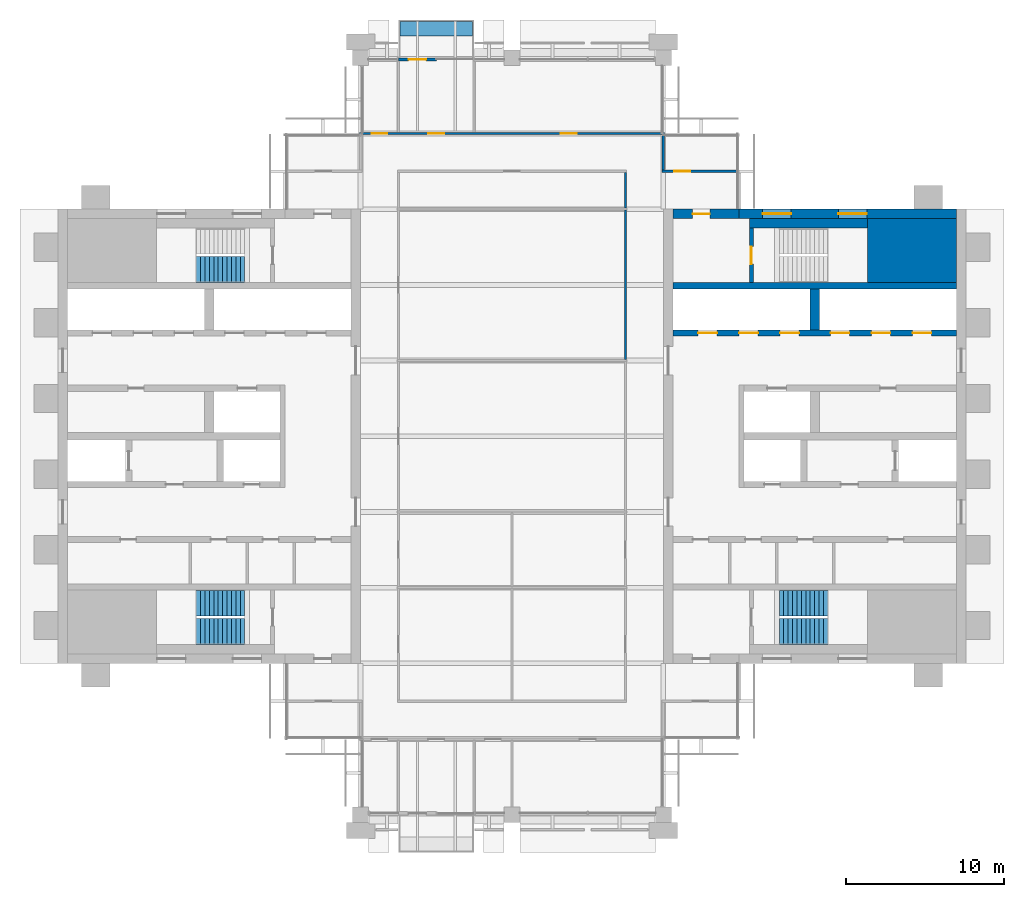
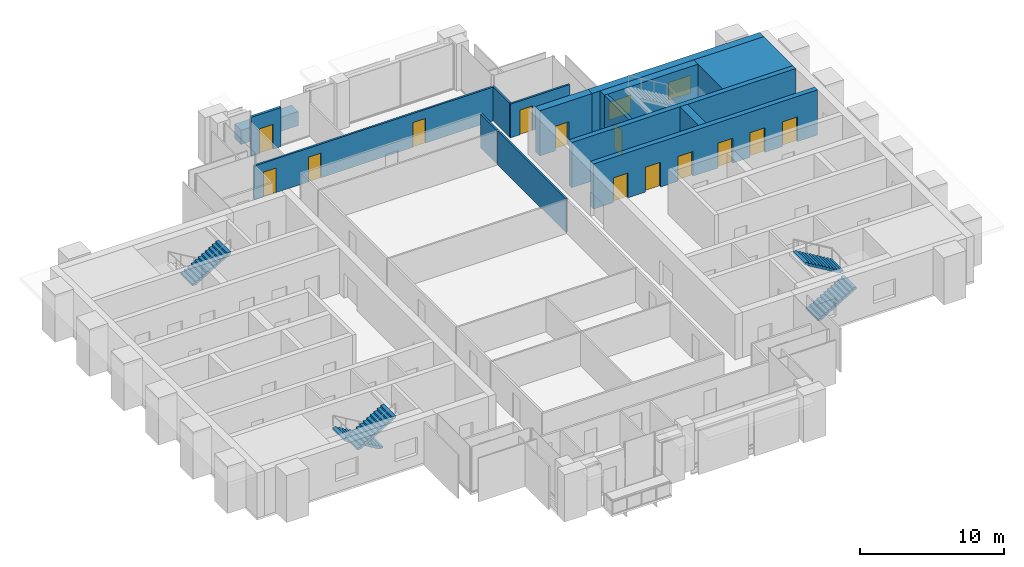
# One storey, part 11 of 13: 15 walls, 13 doors, 5 stair flights, 2 windows, 15 openings, 3 elements without a shape of their own.
"""IFC4 building model written with IfcOpenShell, lengths in metres."""

from ifc_helpers import new_model, si_unit, direction, frame, frame_2d, origin, place, context, subcontext, project, spatial, polyline, rectangle, outline, extrude, material, layer, layer_set, type_object, element, fill, aggregate, save


model = new_model("IFC4")

# Units and contexts
model_context = context("Model", 3, precision=1e-05, world=origin(), true_north=direction((0.0, 1.0)))
body_context = subcontext(model_context, "Body", "Model", "MODEL_VIEW")
ifc_project = project(units=[si_unit("LENGTHUNIT", "METRE"), si_unit("AREAUNIT", "SQUARE_METRE"), si_unit("VOLUMEUNIT", "CUBIC_METRE"), si_unit("PLANEANGLEUNIT", "RADIAN"), si_unit("MASSUNIT", "GRAM", prefix="KILO")], contexts=[model_context])

# Site, building, storey
site_placement = place(None, origin())
site = spatial("IfcSite", under=ifc_project, at=site_placement, CompositionType="ELEMENT")
building_placement = place(site_placement, origin())
building = spatial("IfcBuilding", under=site, at=building_placement, Name="Baori Bourse Tower", CompositionType="ELEMENT")
storey_placement = place(building_placement, frame((0.0, 0.0, 338.300048828125)))
storey = spatial("IfcBuildingStorey", under=building, at=storey_placement, Name="L75", CompositionType="ELEMENT", Elevation=338.300048828125)

# Wall
ifc_material_1 = material(Name="Concrete f'c 40 MPa", Category="concrete")
wall_type_1 = type_object("IfcWallType", Name="Core corner block f'c 40", PredefinedType="SHEAR", material=ifc_material_1)
wall_1_placement = place(storey_placement, frame((51.35009765625, 35.77490234375, 0.0), z_axis=(0.0, 0.0, 1.0), x_axis=(1.0, 0.0, 0.0)))
element("IfcWall", 1, at=wall_1_placement, inside=storey, type_object=wall_type_1, Name="Core wall E23", PredefinedType="SHEAR", context=body_context, shape_type="SweptSolid", body=[
    extrude(rectangle(XDim=5.64990234375, YDim=4.050048828125, at=frame_2d((2.824951171875, 0.0))), origin(), (0.0, 0.0, 1.0), 3.83984375),
])

# Wall, openings, windows
ifc_material_2 = material(Name="Concrete f'c 40 MPa", Category="concrete")
ifc_layer_1 = layer(ifc_material_2, 0.60009765625)
ifc_layer_set_1 = layer_set([ifc_layer_1], Name="Core wall 600 f'c 40")
wall_type_2 = type_object("IfcWallType", Name="Core wall 600 f'c 40", PredefinedType="SHEAR", material=ifc_layer_set_1)
wall_2_placement = place(storey_placement, frame((43.199951171875, 38.10009765625, 0.0), z_axis=(0.0, 0.0, 1.0), x_axis=(1.0, 0.0, 0.0)))
wall_2 = element("IfcWall", 2, at=wall_2_placement, inside=storey, type_object=wall_type_2, Name="Core wall E26", PredefinedType="SHEAR", context=body_context, shape_type="SweptSolid", body=[
    extrude(rectangle(XDim=13.800048828125, YDim=0.60009765625, at=frame_2d((6.89990234375, 0.0))), origin(), (0.0, 0.0, 1.0), 3.83984375),
])
opening_1_placement = place(wall_2_placement, frame((6.300048828125, 0.0, 0.89990234375)))
opening_1 = element("IfcOpeningElement", 3, at=opening_1_placement, cuts=wall_2, Name="Opening L75-KW205", PredefinedType="OPENING", context=body_context, shape_type="SweptSolid", body=[
    extrude(rectangle(XDim=1.800048828125, YDim=1.5, at=frame_2d((0.89990234375, 0.75))), frame((0.0, 0.31005859375, 0.0), z_axis=(0.0, -1.0, 0.0), x_axis=(1.0, 0.0, 0.0)), (0.0, 0.0, 1.0), 0.6201171875),
])
opening_2_placement = place(wall_2_placement, frame((1.5, 0.0, 0.89990234375)))
opening_2 = element("IfcOpeningElement", 4, at=opening_2_placement, cuts=wall_2, Name="Opening L75-KW206", PredefinedType="OPENING", context=body_context, shape_type="SweptSolid", body=[
    extrude(rectangle(XDim=1.800048828125, YDim=1.5, at=frame_2d((0.89990234375, 0.75))), frame((0.0, 0.31005859375, 0.0), z_axis=(0.0, -1.0, 0.0), x_axis=(1.0, 0.0, 0.0)), (0.0, 0.0, 1.0), 0.6201171875),
])
ifc_material_3 = material(Name="Pale anodised aluminium", Category="aluminium")
window_type = type_object("IfcWindowType", Name="Stair window 1800 x 1500", PartitioningType="SINGLE_PANEL", PredefinedType="WINDOW", material=ifc_material_3)
window_1_placement = place(opening_1_placement, origin())
window_1 = element("IfcWindow", 5, at=window_1_placement, inside=storey, type_object=window_type, Name="Stair window E L75 5", OverallHeight=1.5, OverallWidth=1.800048828125, PartitioningType="SINGLE_PANEL", PredefinedType="WINDOW", context=body_context, shape_type="SweptSolid", body=[
    extrude(rectangle(XDim=1.800048828125, YDim=1.5, at=frame_2d((0.89990234375, 0.75))), frame((0.0, 0.030029296875, 0.0), z_axis=(0.0, -1.0, 0.0), x_axis=(1.0, 0.0, 0.0)), (0.0, 0.0, 1.0), 0.06005859375),
])
fill(opening_1, window_1)
window_2_placement = place(opening_2_placement, origin())
window_2 = element("IfcWindow", 6, at=window_2_placement, inside=storey, type_object=window_type, Name="Stair window E L75 6", OverallHeight=1.5, OverallWidth=1.800048828125, PartitioningType="SINGLE_PANEL", PredefinedType="WINDOW", context=body_context, shape_type="SweptSolid", body=[
    extrude(rectangle(XDim=1.800048828125, YDim=1.5, at=frame_2d((0.89990234375, 0.75))), frame((0.0, 0.030029296875, 0.0), z_axis=(0.0, -1.0, 0.0), x_axis=(1.0, 0.0, 0.0)), (0.0, 0.0, 1.0), 0.06005859375),
])
fill(opening_2, window_2)

# Wall, opening, door
wall_3_placement = place(storey_placement, frame((39.0, 38.10009765625, 0.0), z_axis=(0.0, 0.0, 1.0), x_axis=(1.0, 0.0, 0.0)))
wall_3 = element("IfcWall", 7, at=wall_3_placement, inside=storey, type_object=wall_type_2, Name="Core wall E27", PredefinedType="SHEAR", context=body_context, shape_type="SweptSolid", body=[
    extrude(rectangle(XDim=4.199951171875, YDim=0.60009765625, at=frame_2d((2.10009765625, 0.0))), origin(), (0.0, 0.0, 1.0), 3.83984375),
])
opening_3_placement = place(wall_3_placement, frame((1.25, 0.0, 0.0)))
opening_3 = element("IfcOpeningElement", 8, at=opening_3_placement, cuts=wall_3, Name="Opening L75-D204", PredefinedType="OPENING", context=body_context, shape_type="SweptSolid", body=[
    extrude(rectangle(XDim=1.10009765625, YDim=2.10009765625, at=frame_2d((0.550048828125, 1.050048828125))), frame((0.0, 0.31005859375, 0.0), z_axis=(0.0, -1.0, 0.0), x_axis=(1.0, 0.0, 0.0)), (0.0, 0.0, 1.0), 0.6201171875),
])
ifc_material_4 = material(Name="Painted steel door", Category="steel")
door_type_1 = type_object("IfcDoorType", Name="Stair door 1100", OperationType="SINGLE_SWING_LEFT", PredefinedType="DOOR", material=ifc_material_4)
door_1_placement = place(opening_3_placement, origin())
door_1 = element("IfcDoor", 9, at=door_1_placement, inside=storey, type_object=door_type_1, Name="Stair vestibule door B E L75", OperationType="SINGLE_SWING_LEFT", OverallHeight=2.10009765625, OverallWidth=1.10009765625, PredefinedType="DOOR", context=body_context, shape_type="SweptSolid", body=[
    extrude(rectangle(XDim=1.10009765625, YDim=2.10009765625, at=frame_2d((0.550048828125, 1.050048828125))), frame((0.0, 0.02490234375, 0.0), z_axis=(0.0, -1.0, 0.0), x_axis=(1.0, 0.0, 0.0)), (0.0, 0.0, 1.0), 0.050048828125),
])
fill(opening_3, door_1)

ifc_material_5 = material(Name="Gypsum board partition")
ifc_layer_2 = layer(ifc_material_5, 0.14990234375)
ifc_layer_set_2 = layer_set([ifc_layer_2], Name="Corridor partition 150")
wall_type_3 = type_object("IfcWallType", Name="Corridor partition 150", PredefinedType="PARTITIONING", material=ifc_layer_set_2)
wall_4_placement = place(storey_placement, frame((38.324951171875, 40.800048828125, 0.0), z_axis=(0.0, 0.0, 1.0), x_axis=(1.0, 0.0, 0.0)))
wall_4 = element("IfcWall", 10, at=wall_4_placement, inside=storey, type_object=wall_type_3, Name="Partition", PredefinedType="PARTITIONING", context=body_context, shape_type="SweptSolid", body=[
    extrude(rectangle(XDim=4.775146484375, YDim=0.14990234375, at=frame_2d((2.3876953125, 0.0))), origin(), (0.0, 0.0, 1.0), 2.86962890625),
])
opening_4_placement = place(wall_4_placement, frame((0.77490234375, 0.0, 0.0)))
opening_4 = element("IfcOpeningElement", 11, at=opening_4_placement, cuts=wall_4, Name="Opening L75-D09", PredefinedType="OPENING", context=body_context, shape_type="SweptSolid", body=[
    extrude(rectangle(XDim=1.0, YDim=2.10009765625, at=frame_2d((0.5, 1.050048828125))), frame((0.0, 0.0849609375, 0.0), z_axis=(0.0, -1.0, 0.0), x_axis=(1.0, 0.0, 0.0)), (0.0, 0.0, 1.0), 0.169921875),
])
ifc_material_6 = material(Name="Timber door leaf", Category="wood")
door_type_2 = type_object("IfcDoorType", Name="Door 1000 x 2100", OperationType="SINGLE_SWING_LEFT", PredefinedType="DOOR", material=ifc_material_6)
door_2_placement = place(opening_4_placement, origin())
door_2 = element("IfcDoor", 12, at=door_2_placement, inside=storey, type_object=door_type_2, Name="Door", OperationType="SINGLE_SWING_RIGHT", OverallHeight=2.10009765625, OverallWidth=1.0, PredefinedType="DOOR", context=body_context, shape_type="SweptSolid", body=[
    extrude(rectangle(XDim=1.0, YDim=2.10009765625, at=frame_2d((0.5, 1.050048828125))), frame((0.0, 0.02490234375, 0.0), z_axis=(0.0, -1.0, 0.0), x_axis=(1.0, 0.0, 0.0)), (0.0, 0.0, 1.0), 0.050048828125),
])
fill(opening_4, door_2)

# Wall, openings, doors
wall_5_placement = place(storey_placement, frame((19.125, 43.199951171875, 0.0), z_axis=(0.0, 0.0, 1.0), x_axis=(1.0, 0.0, 0.0)))
wall_5 = element("IfcWall", 13, at=wall_5_placement, inside=storey, type_object=wall_type_3, Name="Partition", PredefinedType="PARTITIONING", context=body_context, shape_type="SweptSolid", body=[
    extrude(rectangle(XDim=19.35009765625, YDim=0.14990234375, at=frame_2d((9.675048828125, 0.0))), origin(), (0.0, 0.0, 1.0), 2.86962890625),
])
opening_5_placement = place(wall_5_placement, frame((0.77490234375, 0.0, 0.0)))
opening_5 = element("IfcOpeningElement", 14, at=opening_5_placement, cuts=wall_5, Name="Opening L75-D10", PredefinedType="OPENING", context=body_context, shape_type="SweptSolid", body=[
    extrude(rectangle(XDim=1.0, YDim=2.10009765625, at=frame_2d((0.5, 1.050048828125))), frame((0.0, 0.0849609375, 0.0), z_axis=(0.0, -1.0, 0.0), x_axis=(1.0, 0.0, 0.0)), (0.0, 0.0, 1.0), 0.169921875),
])
opening_6_placement = place(wall_5_placement, frame((4.375, 0.0, 0.0)))
opening_6 = element("IfcOpeningElement", 15, at=opening_6_placement, cuts=wall_5, Name="Opening L75-D11", PredefinedType="OPENING", context=body_context, shape_type="SweptSolid", body=[
    extrude(rectangle(XDim=1.0, YDim=2.10009765625, at=frame_2d((0.5, 1.050048828125))), frame((0.0, 0.0849609375, 0.0), z_axis=(0.0, -1.0, 0.0), x_axis=(1.0, 0.0, 0.0)), (0.0, 0.0, 1.0), 0.169921875),
])
opening_7_placement = place(wall_5_placement, frame((12.77490234375, 0.0, 0.0)))
opening_7 = element("IfcOpeningElement", 16, at=opening_7_placement, cuts=wall_5, Name="Opening L75-D12", PredefinedType="OPENING", context=body_context, shape_type="SweptSolid", body=[
    extrude(rectangle(XDim=1.0, YDim=2.10009765625, at=frame_2d((0.5, 1.050048828125))), frame((0.0, 0.0849609375, 0.0), z_axis=(0.0, -1.0, 0.0), x_axis=(1.0, 0.0, 0.0)), (0.0, 0.0, 1.0), 0.169921875),
])
door_3_placement = place(opening_5_placement, origin())
door_3 = element("IfcDoor", 17, at=door_3_placement, inside=storey, type_object=door_type_2, Name="Door", OperationType="SINGLE_SWING_RIGHT", OverallHeight=2.10009765625, OverallWidth=1.0, PredefinedType="DOOR", context=body_context, shape_type="SweptSolid", body=[
    extrude(rectangle(XDim=1.0, YDim=2.10009765625, at=frame_2d((0.5, 1.050048828125))), frame((0.0, 0.02490234375, 0.0), z_axis=(0.0, -1.0, 0.0), x_axis=(1.0, 0.0, 0.0)), (0.0, 0.0, 1.0), 0.050048828125),
])
fill(opening_5, door_3)
door_4_placement = place(opening_6_placement, origin())
door_4 = element("IfcDoor", 18, at=door_4_placement, inside=storey, type_object=door_type_2, Name="Door", OperationType="SINGLE_SWING_RIGHT", OverallHeight=2.10009765625, OverallWidth=1.0, PredefinedType="DOOR", context=body_context, shape_type="SweptSolid", body=[
    extrude(rectangle(XDim=1.0, YDim=2.10009765625, at=frame_2d((0.5, 1.050048828125))), frame((0.0, 0.02490234375, 0.0), z_axis=(0.0, -1.0, 0.0), x_axis=(1.0, 0.0, 0.0)), (0.0, 0.0, 1.0), 0.050048828125),
])
fill(opening_6, door_4)
door_5_placement = place(opening_7_placement, origin())
door_5 = element("IfcDoor", 19, at=door_5_placement, inside=storey, type_object=door_type_2, Name="Door", OperationType="SINGLE_SWING_LEFT", OverallHeight=2.10009765625, OverallWidth=1.0, PredefinedType="DOOR", context=body_context, shape_type="SweptSolid", body=[
    extrude(rectangle(XDim=1.0, YDim=2.10009765625, at=frame_2d((0.5, 1.050048828125))), frame((0.0, 0.02490234375, 0.0), z_axis=(0.0, -1.0, 0.0), x_axis=(1.0, 0.0, 0.0)), (0.0, 0.0, 1.0), 0.050048828125),
])
fill(opening_7, door_5)

# Walls
wall_6_placement = place(storey_placement, frame((36.0, 28.862548828125, 0.0), z_axis=(0.0, 0.0, 1.0), x_axis=(0.0, 1.0, 0.0)))
element("IfcWall", 20, at=wall_6_placement, inside=storey, type_object=wall_type_3, Name="Partition", PredefinedType="PARTITIONING", context=body_context, shape_type="SweptSolid", body=[
    extrude(rectangle(XDim=9.474853515625, YDim=0.14990234375, at=frame_2d((4.7373046875, 0.0))), origin(), (0.0, 0.0, 1.0), 2.86962890625),
])
wall_7_placement = place(storey_placement, frame((36.0, 38.46240234375, 0.0), z_axis=(0.0, 0.0, 1.0), x_axis=(0.0, 1.0, 0.0)))
element("IfcWall", 21, at=wall_7_placement, inside=storey, type_object=wall_type_3, Name="Partition", PredefinedType="PARTITIONING", context=body_context, shape_type="SweptSolid", body=[
    extrude(rectangle(XDim=2.2626953125, YDim=0.14990234375, at=frame_2d((1.13134765625, 0.0))), origin(), (0.0, 0.0, 1.0), 2.86962890625),
])
wall_8_placement = place(storey_placement, frame((38.39990234375, 40.875, 0.0), z_axis=(0.0, 0.0, 1.0), x_axis=(0.0, 1.0, 0.0)))
element("IfcWall", 22, at=wall_8_placement, inside=storey, type_object=wall_type_3, Name="Partition", PredefinedType="PARTITIONING", context=body_context, shape_type="SweptSolid", body=[
    extrude(rectangle(XDim=2.25, YDim=0.14990234375, at=frame_2d((1.125, 0.0))), origin(), (0.0, 0.0, 1.0), 2.86962890625),
])

# Wall, opening, door
ifc_material_7 = material(Name="Pale anodised aluminium", Category="aluminium")
ifc_layer_3 = layer(ifc_material_7, 0.199951171875)
ifc_layer_set_3 = layer_set([ifc_layer_3], Name="EW1 External wall bay")
wall_type_4 = type_object("IfcWallType", Name="EW1 External wall bay", PredefinedType="SOLIDWALL", material=ifc_layer_set_3)
wall_9_placement = place(storey_placement, frame((24.0, 47.89990234375, 0.0), z_axis=(0.0, 0.0, 1.0), x_axis=(-1.0, 0.0, 0.0)))
wall_9 = element("IfcWall", 23, at=wall_9_placement, inside=storey, type_object=wall_type_4, Name="External wall bay L75 1", PredefinedType="SOLIDWALL", context=body_context, shape_type="SweptSolid", body=[
    extrude(rectangle(XDim=2.39990234375, YDim=0.199951171875, at=frame_2d((1.199951171875, 0.0))), origin(), (0.0, 0.0, 1.0), 3.314208984375),
])
opening_8_placement = place(wall_9_placement, frame((0.64990234375, 0.0, 0.0)))
opening_8 = element("IfcOpeningElement", 24, at=opening_8_placement, cuts=wall_9, Name="Opening L75-D91", PredefinedType="OPENING", context=body_context, shape_type="SweptSolid", body=[
    extrude(rectangle(XDim=1.10009765625, YDim=2.10009765625, at=frame_2d((0.550048828125, 1.050048828125))), frame((0.0, 0.10986328125, 0.0), z_axis=(0.0, -1.0, 0.0), x_axis=(1.0, 0.0, 0.0)), (0.0, 0.0, 1.0), 0.219970703125),
])
ifc_material_8 = material(Name="Pale anodised aluminium", Category="aluminium")
door_type_3 = type_object("IfcDoorType", Name="BL1 Balcony door", OperationType="SINGLE_SWING_LEFT", PredefinedType="DOOR", material=ifc_material_8)
door_6_placement = place(opening_8_placement, origin())
door_6 = element("IfcDoor", 25, at=door_6_placement, inside=storey, type_object=door_type_3, Name="Balcony door L75 1", OperationType="SINGLE_SWING_LEFT", OverallHeight=2.10009765625, OverallWidth=1.10009765625, PredefinedType="DOOR", context=body_context, shape_type="SweptSolid", body=[
    extrude(rectangle(XDim=1.10009765625, YDim=2.10009765625, at=frame_2d((0.550048828125, 1.050048828125))), frame((0.0, 0.02490234375, 0.0), z_axis=(0.0, -1.0, 0.0), x_axis=(1.0, 0.0, 0.0)), (0.0, 0.0, 1.0), 0.050048828125),
])
fill(opening_8, door_6)

# Wall
ifc_material_9 = material(Name="Concrete f'c 40 MPa", Category="concrete")
ifc_layer_4 = layer(ifc_material_9, 0.89990234375)
ifc_layer_set_4 = layer_set([ifc_layer_4], Name="PW1 Planter wall")
wall_type_5 = type_object("IfcWallType", Name="PW1 Planter wall", PredefinedType="USERDEFINED", material=ifc_layer_set_4)
wall_10_placement = place(storey_placement, frame((21.699951171875, 49.85009765625, 0.0), z_axis=(0.0, 0.0, 1.0), x_axis=(1.0, 0.0, 0.0)))
element("IfcWall", 26, at=wall_10_placement, inside=storey, type_object=wall_type_5, Name="Planter balcony N L75 2", ObjectType="PLANTER", PredefinedType="USERDEFINED", context=body_context, shape_type="SweptSolid", body=[
    extrude(rectangle(XDim=4.60009765625, YDim=0.89990234375, at=frame_2d((2.300048828125, 0.0))), origin(), (0.0, 0.0, 1.0), 1.199951171875),
])

# Wall, opening, door
ifc_material_10 = material(Name="Concrete f'c 40 MPa", Category="concrete")
ifc_layer_5 = layer(ifc_material_10, 0.25)
ifc_layer_set_5 = layer_set([ifc_layer_5], Name="Shaft wall 250 f'c 40")
wall_type_6 = type_object("IfcWallType", Name="Shaft wall 250 f'c 40", PredefinedType="SHEAR", material=ifc_layer_set_5)
wall_11_placement = place(storey_placement, frame((43.97509765625, 33.75, 0.0), z_axis=(0.0, 0.0, 1.0), x_axis=(0.0, 1.0, 0.0)))
wall_11 = element("IfcWall", 27, at=wall_11_placement, inside=storey, type_object=wall_type_6, Name="Core wall E24", PredefinedType="SHEAR", context=body_context, shape_type="SweptSolid", body=[
    extrude(rectangle(XDim=3.449951171875, YDim=0.25, at=frame_2d((1.72509765625, 0.0))), origin(), (0.0, 0.0, 1.0), 3.83984375),
])
opening_9_placement = place(wall_11_placement, frame((1.175048828125, 0.0, 0.0)))
opening_9 = element("IfcOpeningElement", 28, at=opening_9_placement, cuts=wall_11, Name="Opening L75-D203", PredefinedType="OPENING", context=body_context, shape_type="SweptSolid", body=[
    extrude(rectangle(XDim=1.10009765625, YDim=2.10009765625, at=frame_2d((0.550048828125, 1.050048828125))), frame((0.0, 0.135009765625, 0.0), z_axis=(0.0, -1.0, 0.0), x_axis=(1.0, 0.0, 0.0)), (0.0, 0.0, 1.0), 0.27001953125),
])
door_7_placement = place(opening_9_placement, origin())
door_7 = element("IfcDoor", 29, at=door_7_placement, inside=storey, type_object=door_type_1, Name="Stair door B E L75", OperationType="SINGLE_SWING_LEFT", OverallHeight=2.10009765625, OverallWidth=1.10009765625, PredefinedType="DOOR", context=body_context, shape_type="SweptSolid", body=[
    extrude(rectangle(XDim=1.10009765625, YDim=2.10009765625, at=frame_2d((0.550048828125, 1.050048828125))), frame((0.0, 0.02490234375, 0.0), z_axis=(0.0, -1.0, 0.0), x_axis=(1.0, 0.0, 0.0)), (0.0, 0.0, 1.0), 0.050048828125),
])
fill(opening_9, door_7)

# Wall, openings, doors
ifc_material_11 = material(Name="Concrete f'c 40 MPa", Category="concrete")
ifc_layer_6 = layer(ifc_material_11, 0.39990234375)
ifc_layer_set_6 = layer_set([ifc_layer_6], Name="Shaft wall 400 f'c 40")
wall_type_7 = type_object("IfcWallType", Name="Shaft wall 400 f'c 40", PredefinedType="SHEAR", material=ifc_layer_set_6)
wall_12_placement = place(storey_placement, frame((39.0, 30.550048828125, 0.0), z_axis=(0.0, 0.0, 1.0), x_axis=(1.0, 0.0, 0.0)))
wall_12 = element("IfcWall", 30, at=wall_12_placement, inside=storey, type_object=wall_type_7, Name="Core wall E20", PredefinedType="SHEAR", context=body_context, shape_type="SweptSolid", body=[
    extrude(rectangle(XDim=18.0, YDim=0.39990234375, at=frame_2d((9.0, 0.0))), origin(), (0.0, 0.0, 1.0), 3.83984375),
])
opening_10_placement = place(wall_12_placement, frame((15.199951171875, 0.0, 0.0)))
opening_10 = element("IfcOpeningElement", 31, at=opening_10_placement, cuts=wall_12, Name="Opening L75-D214", PredefinedType="OPENING", context=body_context, shape_type="SweptSolid", body=[
    extrude(rectangle(XDim=1.199951171875, YDim=2.10009765625, at=frame_2d((0.60009765625, 1.050048828125))), frame((0.0, 0.2099609375, 0.0), z_axis=(0.0, -1.0, 0.0), x_axis=(1.0, 0.0, 0.0)), (0.0, 0.0, 1.0), 0.419921875),
])
opening_11_placement = place(wall_12_placement, frame((12.60009765625, 0.0, 0.0)))
opening_11 = element("IfcOpeningElement", 32, at=opening_11_placement, cuts=wall_12, Name="Opening L75-D215", PredefinedType="OPENING", context=body_context, shape_type="SweptSolid", body=[
    extrude(rectangle(XDim=1.199951171875, YDim=2.10009765625, at=frame_2d((0.60009765625, 1.050048828125))), frame((0.0, 0.2099609375, 0.0), z_axis=(0.0, -1.0, 0.0), x_axis=(1.0, 0.0, 0.0)), (0.0, 0.0, 1.0), 0.419921875),
])
opening_12_placement = place(wall_12_placement, frame((10.0, 0.0, 0.0)))
opening_12 = element("IfcOpeningElement", 33, at=opening_12_placement, cuts=wall_12, Name="Opening L75-D216", PredefinedType="OPENING", context=body_context, shape_type="SweptSolid", body=[
    extrude(rectangle(XDim=1.199951171875, YDim=2.10009765625, at=frame_2d((0.60009765625, 1.050048828125))), frame((0.0, 0.2099609375, 0.0), z_axis=(0.0, -1.0, 0.0), x_axis=(1.0, 0.0, 0.0)), (0.0, 0.0, 1.0), 0.419921875),
])
opening_13_placement = place(wall_12_placement, frame((6.800048828125, 0.0, 0.0)))
opening_13 = element("IfcOpeningElement", 34, at=opening_13_placement, cuts=wall_12, Name="Opening L75-D217", PredefinedType="OPENING", context=body_context, shape_type="SweptSolid", body=[
    extrude(rectangle(XDim=1.199951171875, YDim=2.10009765625, at=frame_2d((0.60009765625, 1.050048828125))), frame((0.0, 0.2099609375, 0.0), z_axis=(0.0, -1.0, 0.0), x_axis=(1.0, 0.0, 0.0)), (0.0, 0.0, 1.0), 0.419921875),
])
opening_14_placement = place(wall_12_placement, frame((4.199951171875, 0.0, 0.0)))
opening_14 = element("IfcOpeningElement", 35, at=opening_14_placement, cuts=wall_12, Name="Opening L75-D218", PredefinedType="OPENING", context=body_context, shape_type="SweptSolid", body=[
    extrude(rectangle(XDim=1.199951171875, YDim=2.10009765625, at=frame_2d((0.60009765625, 1.050048828125))), frame((0.0, 0.2099609375, 0.0), z_axis=(0.0, -1.0, 0.0), x_axis=(1.0, 0.0, 0.0)), (0.0, 0.0, 1.0), 0.419921875),
])
opening_15_placement = place(wall_12_placement, frame((1.60009765625, 0.0, 0.0)))
opening_15 = element("IfcOpeningElement", 36, at=opening_15_placement, cuts=wall_12, Name="Opening L75-D219", PredefinedType="OPENING", context=body_context, shape_type="SweptSolid", body=[
    extrude(rectangle(XDim=1.199951171875, YDim=2.10009765625, at=frame_2d((0.60009765625, 1.050048828125))), frame((0.0, 0.2099609375, 0.0), z_axis=(0.0, -1.0, 0.0), x_axis=(1.0, 0.0, 0.0)), (0.0, 0.0, 1.0), 0.419921875),
])
ifc_material_12 = material(Name="Stainless steel door", Category="steel")
door_type_4 = type_object("IfcDoorType", Name="Lift landing door", OperationType="DOUBLE_DOOR_SLIDING", PredefinedType="DOOR", material=ifc_material_12)
door_8_placement = place(opening_10_placement, origin())
door_8 = element("IfcDoor", 37, at=door_8_placement, inside=storey, type_object=door_type_4, Name="Lift landing door HR1 E L75", OperationType="DOUBLE_DOOR_SLIDING", OverallHeight=2.10009765625, OverallWidth=1.199951171875, PredefinedType="DOOR", context=body_context, shape_type="SweptSolid", body=[
    extrude(rectangle(XDim=1.199951171875, YDim=2.10009765625, at=frame_2d((0.60009765625, 1.050048828125))), frame((0.0, 0.02490234375, 0.0), z_axis=(0.0, -1.0, 0.0), x_axis=(1.0, 0.0, 0.0)), (0.0, 0.0, 1.0), 0.050048828125),
])
fill(opening_10, door_8)
door_9_placement = place(opening_11_placement, origin())
door_9 = element("IfcDoor", 38, at=door_9_placement, inside=storey, type_object=door_type_4, Name="Lift landing door HR2 E L75", OperationType="DOUBLE_DOOR_SLIDING", OverallHeight=2.10009765625, OverallWidth=1.199951171875, PredefinedType="DOOR", context=body_context, shape_type="SweptSolid", body=[
    extrude(rectangle(XDim=1.199951171875, YDim=2.10009765625, at=frame_2d((0.60009765625, 1.050048828125))), frame((0.0, 0.02490234375, 0.0), z_axis=(0.0, -1.0, 0.0), x_axis=(1.0, 0.0, 0.0)), (0.0, 0.0, 1.0), 0.050048828125),
])
fill(opening_11, door_9)
door_10_placement = place(opening_12_placement, origin())
door_10 = element("IfcDoor", 39, at=door_10_placement, inside=storey, type_object=door_type_4, Name="Lift landing door HR3 E L75", OperationType="DOUBLE_DOOR_SLIDING", OverallHeight=2.10009765625, OverallWidth=1.199951171875, PredefinedType="DOOR", context=body_context, shape_type="SweptSolid", body=[
    extrude(rectangle(XDim=1.199951171875, YDim=2.10009765625, at=frame_2d((0.60009765625, 1.050048828125))), frame((0.0, 0.02490234375, 0.0), z_axis=(0.0, -1.0, 0.0), x_axis=(1.0, 0.0, 0.0)), (0.0, 0.0, 1.0), 0.050048828125),
])
fill(opening_12, door_10)
door_11_placement = place(opening_13_placement, origin())
door_11 = element("IfcDoor", 40, at=door_11_placement, inside=storey, type_object=door_type_4, Name="Lift landing door HR4 E L75", OperationType="DOUBLE_DOOR_SLIDING", OverallHeight=2.10009765625, OverallWidth=1.199951171875, PredefinedType="DOOR", context=body_context, shape_type="SweptSolid", body=[
    extrude(rectangle(XDim=1.199951171875, YDim=2.10009765625, at=frame_2d((0.60009765625, 1.050048828125))), frame((0.0, 0.02490234375, 0.0), z_axis=(0.0, -1.0, 0.0), x_axis=(1.0, 0.0, 0.0)), (0.0, 0.0, 1.0), 0.050048828125),
])
fill(opening_13, door_11)
door_12_placement = place(opening_14_placement, origin())
door_12 = element("IfcDoor", 41, at=door_12_placement, inside=storey, type_object=door_type_4, Name="Lift landing door HR5 E L75", OperationType="DOUBLE_DOOR_SLIDING", OverallHeight=2.10009765625, OverallWidth=1.199951171875, PredefinedType="DOOR", context=body_context, shape_type="SweptSolid", body=[
    extrude(rectangle(XDim=1.199951171875, YDim=2.10009765625, at=frame_2d((0.60009765625, 1.050048828125))), frame((0.0, 0.02490234375, 0.0), z_axis=(0.0, -1.0, 0.0), x_axis=(1.0, 0.0, 0.0)), (0.0, 0.0, 1.0), 0.050048828125),
])
fill(opening_14, door_12)
door_13_placement = place(opening_15_placement, origin())
door_13 = element("IfcDoor", 42, at=door_13_placement, inside=storey, type_object=door_type_4, Name="Lift landing door HR6 E L75", OperationType="DOUBLE_DOOR_SLIDING", OverallHeight=2.10009765625, OverallWidth=1.199951171875, PredefinedType="DOOR", context=body_context, shape_type="SweptSolid", body=[
    extrude(rectangle(XDim=1.199951171875, YDim=2.10009765625, at=frame_2d((0.60009765625, 1.050048828125))), frame((0.0, 0.02490234375, 0.0), z_axis=(0.0, -1.0, 0.0), x_axis=(1.0, 0.0, 0.0)), (0.0, 0.0, 1.0), 0.050048828125),
])
fill(opening_15, door_13)

# Walls
wall_13_placement = place(storey_placement, frame((39.0, 33.550048828125, 0.0), z_axis=(0.0, 0.0, 1.0), x_axis=(1.0, 0.0, 0.0)))
element("IfcWall", 43, at=wall_13_placement, inside=storey, type_object=wall_type_7, Name="Core wall E22", PredefinedType="SHEAR", context=body_context, shape_type="SweptSolid", body=[
    extrude(rectangle(XDim=18.0, YDim=0.39990234375, at=frame_2d((9.0, 0.0))), origin(), (0.0, 0.0, 1.0), 3.83984375),
])
ifc_material_13 = material(Name="Concrete f'c 40 MPa", Category="concrete")
ifc_layer_7 = layer(ifc_material_13, 0.60009765625)
ifc_layer_set_7 = layer_set([ifc_layer_7], Name="Shaft wall 600 f'c 40")
wall_type_8 = type_object("IfcWallType", Name="Shaft wall 600 f'c 40", PredefinedType="SHEAR", material=ifc_layer_set_7)
wall_14_placement = place(storey_placement, frame((48.0, 30.75, 0.0), z_axis=(0.0, 0.0, 1.0), x_axis=(0.0, 1.0, 0.0)))
element("IfcWall", 44, at=wall_14_placement, inside=storey, type_object=wall_type_8, Name="Core wall E21", PredefinedType="SHEAR", context=body_context, shape_type="SweptSolid", body=[
    extrude(rectangle(XDim=2.60009765625, YDim=0.60009765625, at=frame_2d((1.300048828125, 0.0))), origin(), (0.0, 0.0, 1.0), 3.83984375),
])
wall_15_placement = place(storey_placement, frame((43.85009765625, 37.5, 0.0), z_axis=(0.0, 0.0, 1.0), x_axis=(1.0, 0.0, 0.0)))
element("IfcWall", 45, at=wall_15_placement, inside=storey, type_object=wall_type_8, Name="Core wall E25", PredefinedType="SHEAR", context=body_context, shape_type="SweptSolid", body=[
    extrude(rectangle(XDim=7.5, YDim=0.60009765625, at=frame_2d((3.75, 0.0))), origin(), (0.0, 0.0, 1.0), 3.83984375),
])

# Stair, stair flights
ifc_material_14 = material(Name="Concrete f'c 50 MPa", Category="concrete")
stair_type = type_object("IfcStairType", Name="Core stair", PredefinedType="HALF_TURN_STAIR", material=ifc_material_14)
stair_1_placement = place(storey_placement, origin())
stair_1 = element("IfcStair", 46, at=stair_1_placement, inside=storey, type_object=stair_type, Name="L75 Stair WA", PredefinedType="HALF_TURN_STAIR")
ifc_material_15 = material(Name="Concrete f'c 50 MPa", Category="concrete")
stair_flight_type = type_object("IfcStairFlightType", Name="Core stair flight", PredefinedType="STRAIGHT", material=ifc_material_15)
stair_flight_1_placement = place(storey_placement, frame((11.85009765625, 13.425048828125, 0.0), z_axis=(0.0, 0.0, 1.0), x_axis=(-1.0, 0.0, 0.0)))
stair_flight_1 = element("IfcStairFlight", 47, at=stair_flight_1_placement, type_object=stair_flight_type, Name="ST1 flight 1", NumberOfRisers=12, NumberOfTreads=11, PredefinedType="STRAIGHT", RiserHeight=0.166666667, TreadLength=0.28, context=body_context, shape_type="SweptSolid", body=[
    extrude(outline(polyline([(0.0, 0.0), (0.0, 0.166748046875), (0.280029296875, 0.166748046875), (0.280029296875, 0.333251953125), (0.56005859375, 0.333251953125), (0.56005859375, 0.5), (0.840087890625, 0.5), (0.840087890625, 0.666748046875), (1.1201171875, 0.666748046875), (1.1201171875, 0.833251953125), (1.39990234375, 0.833251953125), (1.39990234375, 1.0), (1.679931640625, 1.0), (1.679931640625, 1.166748046875), (1.9599609375, 1.166748046875), (1.9599609375, 1.333251953125), (2.239990234375, 1.333251953125), (2.239990234375, 1.5), (2.52001953125, 1.5), (2.52001953125, 1.666748046875), (2.800048828125, 1.666748046875), (2.800048828125, 1.833251953125), (3.080078125, 1.833251953125), (3.080078125, 2.0), (3.080078125, 1.658935546875), (0.29296875, 0.0), (0.0, 0.0)])), frame((0.0, 0.824951171875, 0.0), z_axis=(0.0, -1.0, 0.0), x_axis=(1.0, 0.0, 0.0)), (0.0, 0.0, 1.0), 1.64990234375),
])
stair_flight_2_placement = place(storey_placement, frame((8.77001953125, 11.625, 2.0), z_axis=(0.0, 0.0, 1.0), x_axis=(1.0, 0.0, 0.0)))
stair_flight_2 = element("IfcStairFlight", 48, at=stair_flight_2_placement, type_object=stair_flight_type, Name="ST1 flight 2", NumberOfRisers=12, NumberOfTreads=11, PredefinedType="STRAIGHT", RiserHeight=0.166666667, TreadLength=0.28, context=body_context, shape_type="SweptSolid", body=[
    extrude(outline(polyline([(0.0, 0.0), (0.0, 0.166748046875), (0.280029296875, 0.166748046875), (0.280029296875, 0.333251953125), (0.56005859375, 0.333251953125), (0.56005859375, 0.5), (0.840087890625, 0.5), (0.840087890625, 0.666748046875), (1.1201171875, 0.666748046875), (1.1201171875, 0.833251953125), (1.39990234375, 0.833251953125), (1.39990234375, 1.0), (1.679931640625, 1.0), (1.679931640625, 1.166748046875), (1.9599609375, 1.166748046875), (1.9599609375, 1.333251953125), (2.239990234375, 1.333251953125), (2.239990234375, 1.5), (2.52001953125, 1.5), (2.52001953125, 1.666748046875), (2.800048828125, 1.666748046875), (2.800048828125, 1.833251953125), (3.080078125, 1.833251953125), (3.080078125, 2.0), (3.080078125, 1.658935546875), (0.29296875, 0.0), (0.0, 0.0)])), frame((0.0, 0.824951171875, 0.0), z_axis=(0.0, -1.0, 0.0), x_axis=(1.0, 0.0, 0.0)), (0.0, 0.0, 1.0), 1.64990234375),
])
aggregate(stair_1, [stair_flight_1, stair_flight_2])

# Stair, stair flight
stair_2_placement = place(storey_placement, origin())
stair_2 = element("IfcStair", 49, at=stair_2_placement, inside=storey, type_object=stair_type, Name="L75 Stair WB", PredefinedType="HALF_TURN_STAIR")
stair_flight_3_placement = place(storey_placement, frame((8.77001953125, 34.574951171875, 2.0), z_axis=(0.0, 0.0, 1.0), x_axis=(1.0, 0.0, 0.0)))
stair_flight_3 = element("IfcStairFlight", 50, at=stair_flight_3_placement, type_object=stair_flight_type, Name="ST2 flight 2", NumberOfRisers=12, NumberOfTreads=11, PredefinedType="STRAIGHT", RiserHeight=0.166666667, TreadLength=0.28, context=body_context, shape_type="SweptSolid", body=[
    extrude(outline(polyline([(0.0, 0.0), (0.0, 0.166748046875), (0.280029296875, 0.166748046875), (0.280029296875, 0.333251953125), (0.56005859375, 0.333251953125), (0.56005859375, 0.5), (0.840087890625, 0.5), (0.840087890625, 0.666748046875), (1.1201171875, 0.666748046875), (1.1201171875, 0.833251953125), (1.39990234375, 0.833251953125), (1.39990234375, 1.0), (1.679931640625, 1.0), (1.679931640625, 1.166748046875), (1.9599609375, 1.166748046875), (1.9599609375, 1.333251953125), (2.239990234375, 1.333251953125), (2.239990234375, 1.5), (2.52001953125, 1.5), (2.52001953125, 1.666748046875), (2.800048828125, 1.666748046875), (2.800048828125, 1.833251953125), (3.080078125, 1.833251953125), (3.080078125, 2.0), (3.080078125, 1.658935546875), (0.29296875, 0.0), (0.0, 0.0)])), frame((0.0, 0.824951171875, 0.0), z_axis=(0.0, -1.0, 0.0), x_axis=(1.0, 0.0, 0.0)), (0.0, 0.0, 1.0), 1.64990234375),
])
aggregate(stair_2, [stair_flight_3])

# Stair, stair flights
stair_3_placement = place(storey_placement, origin())
stair_3 = element("IfcStair", 51, at=stair_3_placement, inside=storey, type_object=stair_type, Name="L75 Stair EA", PredefinedType="HALF_TURN_STAIR")
stair_flight_4_placement = place(storey_placement, frame((45.75, 11.625, 0.0), z_axis=(0.0, 0.0, 1.0), x_axis=(1.0, 0.0, 0.0)))
stair_flight_4 = element("IfcStairFlight", 52, at=stair_flight_4_placement, type_object=stair_flight_type, Name="ST3 flight 1", NumberOfRisers=12, NumberOfTreads=11, PredefinedType="STRAIGHT", RiserHeight=0.166666667, TreadLength=0.28, context=body_context, shape_type="SweptSolid", body=[
    extrude(outline(polyline([(0.0, 0.0), (0.0, 0.166748046875), (0.280029296875, 0.166748046875), (0.280029296875, 0.333251953125), (0.56005859375, 0.333251953125), (0.56005859375, 0.5), (0.840087890625, 0.5), (0.840087890625, 0.666748046875), (1.1201171875, 0.666748046875), (1.1201171875, 0.833251953125), (1.39990234375, 0.833251953125), (1.39990234375, 1.0), (1.679931640625, 1.0), (1.679931640625, 1.166748046875), (1.9599609375, 1.166748046875), (1.9599609375, 1.333251953125), (2.239990234375, 1.333251953125), (2.239990234375, 1.5), (2.52001953125, 1.5), (2.52001953125, 1.666748046875), (2.800048828125, 1.666748046875), (2.800048828125, 1.833251953125), (3.080078125, 1.833251953125), (3.080078125, 2.0), (3.080078125, 1.658935546875), (0.29296875, 0.0), (0.0, 0.0)])), frame((0.0, 0.824951171875, 0.0), z_axis=(0.0, -1.0, 0.0), x_axis=(1.0, 0.0, 0.0)), (0.0, 0.0, 1.0), 1.64990234375),
])
stair_flight_5_placement = place(storey_placement, frame((48.830078125, 13.425048828125, 2.0), z_axis=(0.0, 0.0, 1.0), x_axis=(-1.0, 0.0, 0.0)))
stair_flight_5 = element("IfcStairFlight", 53, at=stair_flight_5_placement, type_object=stair_flight_type, Name="ST3 flight 2", NumberOfRisers=12, NumberOfTreads=11, PredefinedType="STRAIGHT", RiserHeight=0.166666667, TreadLength=0.28, context=body_context, shape_type="SweptSolid", body=[
    extrude(outline(polyline([(0.0, 0.0), (0.0, 0.166748046875), (0.280029296875, 0.166748046875), (0.280029296875, 0.333251953125), (0.56005859375, 0.333251953125), (0.56005859375, 0.5), (0.840087890625, 0.5), (0.840087890625, 0.666748046875), (1.1201171875, 0.666748046875), (1.1201171875, 0.833251953125), (1.39990234375, 0.833251953125), (1.39990234375, 1.0), (1.679931640625, 1.0), (1.679931640625, 1.166748046875), (1.9599609375, 1.166748046875), (1.9599609375, 1.333251953125), (2.239990234375, 1.333251953125), (2.239990234375, 1.5), (2.52001953125, 1.5), (2.52001953125, 1.666748046875), (2.800048828125, 1.666748046875), (2.800048828125, 1.833251953125), (3.080078125, 1.833251953125), (3.080078125, 2.0), (3.080078125, 1.658935546875), (0.29296875, 0.0), (0.0, 0.0)])), frame((0.0, 0.824951171875, 0.0), z_axis=(0.0, -1.0, 0.0), x_axis=(1.0, 0.0, 0.0)), (0.0, 0.0, 1.0), 1.64990234375),
])
aggregate(stair_3, [stair_flight_4, stair_flight_5])

save(model, "model.ifc")
